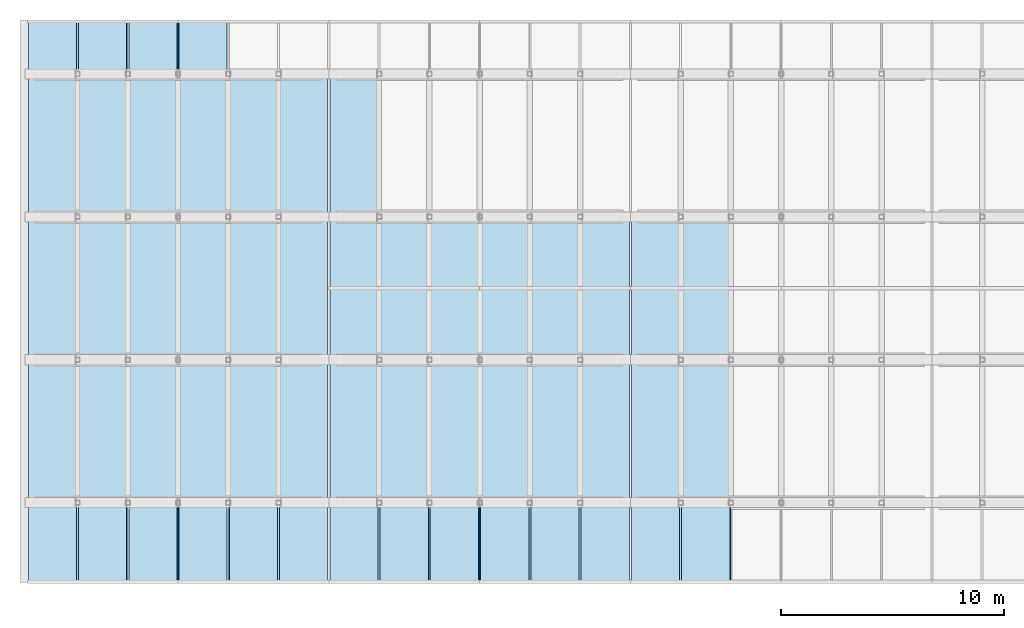
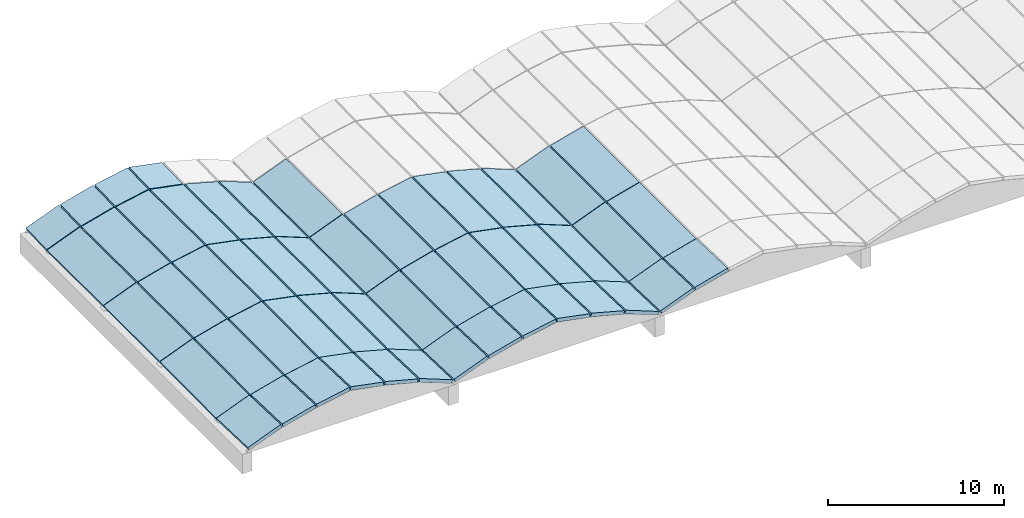
# One storey, part 11 of 15: 53 slabs, 3 elements without a shape of their own.
"""IFC4 building model written with IfcOpenShell, lengths in metres."""

from ifc_helpers import new_model, si_unit, direction, frame, origin, place, context, subcontext, project, spatial, polyline, outline, extrude, material, layer, layer_set, type_object, element, aggregate, save


model = new_model("IFC4")

# Units and contexts
model_context = context("Model", 3, precision=1e-05, world=origin(), true_north=direction((0.0, 1.0)))
body_context = subcontext(model_context, "Body", "Model", "MODEL_VIEW")
ifc_project = project(units=[si_unit("LENGTHUNIT", "METRE"), si_unit("AREAUNIT", "SQUARE_METRE"), si_unit("VOLUMEUNIT", "CUBIC_METRE"), si_unit("PLANEANGLEUNIT", "RADIAN"), si_unit("MASSUNIT", "GRAM", prefix="KILO")], contexts=[model_context])

# Site, building, storey
site_placement = place(None, origin())
site = spatial("IfcSite", under=ifc_project, at=site_placement, CompositionType="ELEMENT")
building_placement = place(site_placement, origin())
building = spatial("IfcBuilding", under=site, at=building_placement, Name="Fikremerkos Civic Library", CompositionType="ELEMENT")
storey_placement = place(building_placement, frame((0.0, 0.0, 27.89990234375)))
storey = spatial("IfcBuildingStorey", under=building, at=storey_placement, Name="RF", CompositionType="ELEMENT", Elevation=27.89990234375)

# Roof, slabs
ifc_material = material(Name="Concrete C40/50", Category="concrete")
ifc_layer_1 = layer(ifc_material, 0.219970703125, Name="Concrete C40/50")
ifc_layer_set_1 = layer_set([ifc_layer_1], Name="Concrete C40/50")
roof_type = type_object("IfcRoofType", Name="Reading hall barrel vault assembly RF-BV", PredefinedType="BARREL_ROOF", material=ifc_layer_set_1)
roof_1_placement = place(storey_placement, origin())
roof_1 = element("IfcRoof", 1, at=roof_1_placement, inside=storey, type_object=roof_type, Name="Reading hall concrete barrel vault V1", PredefinedType="BARREL_ROOF")
ifc_layer_2 = layer(ifc_material, 0.219970703125, Name="Concrete C40/50")
ifc_layer_set_2 = layer_set([ifc_layer_2], Name="Concrete C40/50")
slab_type_1 = type_object("IfcSlabType", Name="Vault shell roof strip VSR-01 220", PredefinedType="ROOF", material=ifc_layer_set_2)
slab_1_placement = place(storey_placement, frame((19.248046875, 12.014892578125, 0.190185546875), z_axis=(-0.365584139107, -0.005832410844, 0.930760022894), x_axis=(0.930775854748, -2.86347e-07, 0.365590355752)))
slab_1 = element("IfcSlab", 2, at=slab_1_placement, type_object=slab_type_1, Name="Barrel vault shell strip VSR-01 V1 R2 F1", PredefinedType="ROOF", context=body_context, shape_type="SweptSolid", body=[
    extrude(outline(polyline([(0.0, 0.0), (2.314210436796477, -8.673617379884035e-19), (2.328846507834182, 6.370226203324673), (0.014546815579757719, 6.370224877940915), (0.0, 0.0)])), origin(), (0.0, 0.0, -1.0), 0.219970703125),
])
slab_2_placement = place(storey_placement, frame((21.498046875, 12.014892578125, 1.0361328125), z_axis=(-0.259108847261, -0.006070671626, 0.965829049168), x_axis=(0.965846846535, 0.0, 0.259113621869)))
slab_2 = element("IfcSlab", 3, at=slab_2_placement, type_object=slab_type_1, Name="Barrel vault shell strip VSR-01 V1 R2 F2", PredefinedType="ROOF", context=body_context, shape_type="SweptSolid", body=[
    extrude(outline(polyline([(0.0, 0.0), (2.2302218432479766, -4.336808689942018e-19), (2.2405965097485847, 6.3702345698807505), (0.010374666500608148, 6.3702345698807505), (0.0, 0.0)])), origin(), (0.0, 0.0, -1.0), 0.219970703125),
])
slab_3_placement = place(storey_placement, frame((23.748046875, 12.014892578125, 1.614013671875), z_axis=(-0.191446599806, -0.006169067818, 0.981483643279), x_axis=(0.981502320169, 0.0, 0.191450242889)))
slab_3 = element("IfcSlab", 4, at=slab_3_placement, type_object=slab_type_1, Name="Barrel vault shell strip VSR-01 V1 R2 F3", PredefinedType="ROOF", context=body_context, shape_type="SweptSolid", body=[
    extrude(outline(polyline([(0.0, 0.0), (2.1946486423012233, 4.336808689942018e-19), (2.202314130541904, 6.37023840600168), (0.0076654882406804545, 6.37023840600168), (0.0, 0.0)])), origin(), (0.0, 0.0, -1.0), 0.219970703125),
])
slab_4_placement = place(storey_placement, frame((25.998046875, 12.014892578125, 2.0341796875), z_axis=(0.191446599806, -0.006169067818, 0.981483643279), x_axis=(0.981502320169, 0.0, -0.191450242889)))
slab_4 = element("IfcSlab", 5, at=slab_4_placement, type_object=slab_type_1, Name="Barrel vault shell strip VSR-01 V1 R2 F4", PredefinedType="ROOF", context=body_context, shape_type="SweptSolid", body=[
    extrude(outline(polyline([(0.0, 0.0), (2.1946486423012233, -4.336808689942018e-19), (2.1869831540605427, 6.37023840600168), (-0.0076654882406804545, 6.37023840600168), (0.0, 0.0)])), origin(), (0.0, 0.0, -1.0), 0.219970703125),
])
slab_5_placement = place(storey_placement, frame((28.248046875, 12.014892578125, 1.614013671875), z_axis=(0.259108847261, -0.006070671626, 0.965829049168), x_axis=(0.965846846535, 0.0, -0.259113621869)))
slab_5 = element("IfcSlab", 6, at=slab_5_placement, type_object=slab_type_1, Name="Barrel vault shell strip VSR-01 V1 R2 F5", PredefinedType="ROOF", context=body_context, shape_type="SweptSolid", body=[
    extrude(outline(polyline([(0.0, 0.0), (2.2302218432479766, 4.336808689942018e-19), (2.2198471767473684, 6.3702345698807505), (-0.010374666500608148, 6.3702345698807505), (0.0, 0.0)])), origin(), (0.0, 0.0, -1.0), 0.219970703125),
])
slab_6_placement = place(storey_placement, frame((30.498046875, 12.014892578125, 1.0361328125), z_axis=(0.365584139107, -0.005832410844, 0.930760022894), x_axis=(0.930775854748, 2.86347e-07, -0.365590355752)))
slab_6 = element("IfcSlab", 7, at=slab_6_placement, type_object=slab_type_1, Name="Barrel vault shell strip VSR-01 V1 R2 F6", PredefinedType="ROOF", context=body_context, shape_type="SweptSolid", body=[
    extrude(outline(polyline([(0.0, 0.0), (2.314210436796477, 8.673617379884035e-19), (2.299663621216719, 6.370224877940915), (-0.014636071037704897, 6.370226203324673), (0.0, 0.0)])), origin(), (0.0, 0.0, -1.0), 0.219970703125),
])
slab_7_placement = place(storey_placement, frame((19.248046875, 18.4150390625, 0.22998046875), z_axis=(-0.365636053128, 0.0, 0.930757904427), x_axis=(0.930757904427, 0.0, 0.365636053128)))
slab_7 = element("IfcSlab", 8, at=slab_7_placement, type_object=slab_type_1, Name="Barrel vault shell strip VSR-01 V1 R3 F1", PredefinedType="ROOF", context=body_context, shape_type="SweptSolid", body=[
    extrude(outline(polyline([(0.0, 0.0), (2.314299695043787, 0.0), (2.314299695043787, 6.369873046875), (0.0, 6.369873046875), (0.0, 0.0)])), origin(), (0.0, 0.0, -1.0), 0.219970703125),
])
slab_8_placement = place(storey_placement, frame((21.498046875, 18.4150390625, 1.076171875), z_axis=(-0.259113621869, 0.0, 0.965846846535), x_axis=(0.965846846535, 0.0, 0.259113621869)))
slab_8 = element("IfcSlab", 9, at=slab_8_placement, type_object=slab_type_1, Name="Barrel vault shell strip VSR-01 V1 R3 F2", PredefinedType="ROOF", context=body_context, shape_type="SweptSolid", body=[
    extrude(outline(polyline([(0.0, 0.0), (2.2302218432479766, 0.0), (2.2302218432479766, 6.369873046875), (0.0, 6.369873046875), (0.0, 0.0)])), origin(), (0.0, 0.0, -1.0), 0.219970703125),
])
slab_9_placement = place(storey_placement, frame((23.748046875, 18.4150390625, 1.654052734375), z_axis=(-0.191450242889, 0.0, 0.981502320169), x_axis=(0.981502320169, 0.0, 0.191450242889)))
slab_9 = element("IfcSlab", 10, at=slab_9_placement, type_object=slab_type_1, Name="Barrel vault shell strip VSR-01 V1 R3 F3", PredefinedType="ROOF", context=body_context, shape_type="SweptSolid", body=[
    extrude(outline(polyline([(0.0, 0.0), (2.1946486423012233, 0.0), (2.1946486423012233, 6.369873046875), (0.0, 6.369873046875), (0.0, 0.0)])), origin(), (0.0, 0.0, -1.0), 0.219970703125),
])
slab_10_placement = place(storey_placement, frame((25.998046875, 18.4150390625, 2.07421875), z_axis=(0.191450242889, 0.0, 0.981502320169), x_axis=(0.981502320169, 0.0, -0.191450242889)))
slab_10 = element("IfcSlab", 11, at=slab_10_placement, type_object=slab_type_1, Name="Barrel vault shell strip VSR-01 V1 R3 F4", PredefinedType="ROOF", context=body_context, shape_type="SweptSolid", body=[
    extrude(outline(polyline([(0.0, 0.0), (2.1946486423012233, 0.0), (2.1946486423012233, 6.369873046875), (0.0, 6.369873046875), (0.0, 0.0)])), origin(), (0.0, 0.0, -1.0), 0.219970703125),
])
slab_11_placement = place(storey_placement, frame((28.248046875, 18.4150390625, 1.654052734375), z_axis=(0.259113621869, 0.0, 0.965846846535), x_axis=(0.965846846535, 0.0, -0.259113621869)))
slab_11 = element("IfcSlab", 12, at=slab_11_placement, type_object=slab_type_1, Name="Barrel vault shell strip VSR-01 V1 R3 F5", PredefinedType="ROOF", context=body_context, shape_type="SweptSolid", body=[
    extrude(outline(polyline([(0.0, 0.0), (2.2302218432479766, 0.0), (2.2302218432479766, 6.369873046875), (0.0, 6.369873046875), (0.0, 0.0)])), origin(), (0.0, 0.0, -1.0), 0.219970703125),
])
slab_12_placement = place(storey_placement, frame((30.498046875, 18.4150390625, 1.076171875), z_axis=(0.365636053128, 0.0, 0.930757904427), x_axis=(0.930757904427, 0.0, -0.365636053128)))
slab_12 = element("IfcSlab", 13, at=slab_12_placement, type_object=slab_type_1, Name="Barrel vault shell strip VSR-01 V1 R3 F6", PredefinedType="ROOF", context=body_context, shape_type="SweptSolid", body=[
    extrude(outline(polyline([(0.0, 0.0), (2.314299695043787, 0.0), (2.314299695043787, 6.369873046875), (0.0, 6.369873046875), (0.0, 0.0)])), origin(), (0.0, 0.0, -1.0), 0.219970703125),
])
slab_13_placement = place(storey_placement, frame((19.248046875, 24.81494140625, 0.22998046875), z_axis=(-0.365584139107, 0.005832410844, 0.930760022894), x_axis=(0.930775853527, -2.86336e-07, 0.365590358861)))
slab_13 = element("IfcSlab", 14, at=slab_13_placement, type_object=slab_type_1, Name="Barrel vault shell strip VSR-01 V1 R4 F1", PredefinedType="ROOF", context=body_context, shape_type="SweptSolid", body=[
    extrude(outline(polyline([(0.0, 0.0), (2.314299692254804, 8.673617379884035e-19), (2.299659973031703, 6.370226194941651), (-0.014550463764394549, 6.370224869609008), (0.0, 0.0)])), origin(), (0.0, 0.0, -1.0), 0.219970703125),
])
slab_14_placement = place(storey_placement, frame((21.498046875, 24.81494140625, 1.076171875), z_axis=(-0.259108847261, 0.006070671626, 0.965829049168), x_axis=(0.965846846535, 0.0, 0.259113621869)))
slab_14 = element("IfcSlab", 15, at=slab_14_placement, type_object=slab_type_1, Name="Barrel vault shell strip VSR-01 V1 R4 F2", PredefinedType="ROOF", context=body_context, shape_type="SweptSolid", body=[
    extrude(outline(polyline([(0.0, 0.0), (2.2302218432479766, 4.336808689942018e-19), (2.2198471767473684, 6.3702345698807505), (-0.010374666500608148, 6.3702345698807505), (0.0, 0.0)])), origin(), (0.0, 0.0, -1.0), 0.219970703125),
])
slab_15_placement = place(storey_placement, frame((23.748046875, 24.81494140625, 1.654052734375), z_axis=(-0.191446599806, 0.006169067818, 0.981483643279), x_axis=(0.981502320169, 0.0, 0.191450242889)))
slab_15 = element("IfcSlab", 16, at=slab_15_placement, type_object=slab_type_1, Name="Barrel vault shell strip VSR-01 V1 R4 F3", PredefinedType="ROOF", context=body_context, shape_type="SweptSolid", body=[
    extrude(outline(polyline([(0.0, 0.0), (2.1946486423012233, -4.336808689942018e-19), (2.1869831540605427, 6.37023840600168), (-0.0076654882406804545, 6.37023840600168), (0.0, 0.0)])), origin(), (0.0, 0.0, -1.0), 0.219970703125),
])
slab_16_placement = place(storey_placement, frame((25.998046875, 24.81494140625, 2.07421875), z_axis=(0.191446599806, 0.006169067818, 0.981483643279), x_axis=(0.981502320169, 0.0, -0.191450242889)))
slab_16 = element("IfcSlab", 17, at=slab_16_placement, type_object=slab_type_1, Name="Barrel vault shell strip VSR-01 V1 R4 F4", PredefinedType="ROOF", context=body_context, shape_type="SweptSolid", body=[
    extrude(outline(polyline([(0.0, 0.0), (2.1946486423012233, 4.336808689942018e-19), (2.202314130541904, 6.37023840600168), (0.0076654882406804545, 6.37023840600168), (0.0, 0.0)])), origin(), (0.0, 0.0, -1.0), 0.219970703125),
])
slab_17_placement = place(storey_placement, frame((28.248046875, 24.81494140625, 1.654052734375), z_axis=(0.259108847261, 0.006070671626, 0.965829049168), x_axis=(0.965846846535, 0.0, -0.259113621869)))
slab_17 = element("IfcSlab", 18, at=slab_17_placement, type_object=slab_type_1, Name="Barrel vault shell strip VSR-01 V1 R4 F5", PredefinedType="ROOF", context=body_context, shape_type="SweptSolid", body=[
    extrude(outline(polyline([(0.0, 0.0), (2.2302218432479766, -4.336808689942018e-19), (2.2405965097485847, 6.3702345698807505), (0.010374666500608148, 6.3702345698807505), (0.0, 0.0)])), origin(), (0.0, 0.0, -1.0), 0.219970703125),
])
slab_18_placement = place(storey_placement, frame((30.498046875, 24.81494140625, 1.076171875), z_axis=(0.365584139107, 0.005832410844, 0.930760022894), x_axis=(0.930775853527, 2.86336e-07, -0.365590358861)))
slab_18 = element("IfcSlab", 19, at=slab_18_placement, type_object=slab_type_1, Name="Barrel vault shell strip VSR-01 V1 R4 F6", PredefinedType="ROOF", context=body_context, shape_type="SweptSolid", body=[
    extrude(outline(polyline([(0.0, 0.0), (2.314299692254804, -8.673617379884035e-19), (2.328850156019198, 6.370224869609008), (0.01463971922310075, 6.37022619494165), (0.0, 0.0)])), origin(), (0.0, 0.0, -1.0), 0.219970703125),
])

roof_2_placement = place(storey_placement, origin())
roof_2 = element("IfcRoof", 20, at=roof_2_placement, inside=storey, type_object=roof_type, Name="Reading hall concrete barrel vault V2", PredefinedType="BARREL_ROOF")
slab_19_placement = place(storey_placement, frame((32.748046875, 12.014892578125, 0.190185546875), z_axis=(-0.365584139107, -0.005832410844, 0.930760022894), x_axis=(0.930775854748, -2.86347e-07, 0.365590355752)))
slab_19 = element("IfcSlab", 21, at=slab_19_placement, type_object=slab_type_1, Name="Barrel vault shell strip VSR-01 V2 R2 F1", PredefinedType="ROOF", context=body_context, shape_type="SweptSolid", body=[
    extrude(outline(polyline([(0.0, 0.0), (2.314210436796477, -8.673617379884035e-19), (2.328846507834182, 6.370226203324673), (0.014546815579757719, 6.370224877940915), (0.0, 0.0)])), origin(), (0.0, 0.0, -1.0), 0.219970703125),
])
slab_20_placement = place(storey_placement, frame((34.998046875, 12.014892578125, 1.0361328125), z_axis=(-0.259108847261, -0.006070671626, 0.965829049168), x_axis=(0.965846846535, 0.0, 0.259113621869)))
slab_20 = element("IfcSlab", 22, at=slab_20_placement, type_object=slab_type_1, Name="Barrel vault shell strip VSR-01 V2 R2 F2", PredefinedType="ROOF", context=body_context, shape_type="SweptSolid", body=[
    extrude(outline(polyline([(0.0, 0.0), (2.2302218432479766, -4.336808689942018e-19), (2.2405965097485847, 6.3702345698807505), (0.010374666500608148, 6.3702345698807505), (0.0, 0.0)])), origin(), (0.0, 0.0, -1.0), 0.219970703125),
])
slab_21_placement = place(storey_placement, frame((37.248046875, 12.014892578125, 1.614013671875), z_axis=(-0.191446599806, -0.006169067818, 0.981483643279), x_axis=(0.981502320169, 0.0, 0.191450242889)))
slab_21 = element("IfcSlab", 23, at=slab_21_placement, type_object=slab_type_1, Name="Barrel vault shell strip VSR-01 V2 R2 F3", PredefinedType="ROOF", context=body_context, shape_type="SweptSolid", body=[
    extrude(outline(polyline([(0.0, 0.0), (2.1946486423012233, 4.336808689942018e-19), (2.202314130541904, 6.37023840600168), (0.0076654882406804545, 6.37023840600168), (0.0, 0.0)])), origin(), (0.0, 0.0, -1.0), 0.219970703125),
])
slab_22_placement = place(storey_placement, frame((39.498046875, 12.014892578125, 2.0341796875), z_axis=(0.191446599806, -0.006169067818, 0.981483643279), x_axis=(0.981502320169, 0.0, -0.191450242889)))
slab_22 = element("IfcSlab", 24, at=slab_22_placement, type_object=slab_type_1, Name="Barrel vault shell strip VSR-01 V2 R2 F4", PredefinedType="ROOF", context=body_context, shape_type="SweptSolid", body=[
    extrude(outline(polyline([(0.0, 0.0), (2.1946486423012233, -4.336808689942018e-19), (2.1869831540605427, 6.37023840600168), (-0.0076654882406804545, 6.37023840600168), (0.0, 0.0)])), origin(), (0.0, 0.0, -1.0), 0.219970703125),
])
slab_23_placement = place(storey_placement, frame((41.748046875, 12.014892578125, 1.614013671875), z_axis=(0.259108847261, -0.006070671626, 0.965829049168), x_axis=(0.965846846535, 0.0, -0.259113621869)))
slab_23 = element("IfcSlab", 25, at=slab_23_placement, type_object=slab_type_1, Name="Barrel vault shell strip VSR-01 V2 R2 F5", PredefinedType="ROOF", context=body_context, shape_type="SweptSolid", body=[
    extrude(outline(polyline([(0.0, 0.0), (2.2302218432479766, 4.336808689942018e-19), (2.2198471767473684, 6.3702345698807505), (-0.010374666500608148, 6.3702345698807505), (0.0, 0.0)])), origin(), (0.0, 0.0, -1.0), 0.219970703125),
])
slab_24_placement = place(storey_placement, frame((43.998046875, 12.014892578125, 1.0361328125), z_axis=(0.365584139107, -0.005832410844, 0.930760022894), x_axis=(0.930775854748, 2.86347e-07, -0.365590355752)))
slab_24 = element("IfcSlab", 26, at=slab_24_placement, type_object=slab_type_1, Name="Barrel vault shell strip VSR-01 V2 R2 F6", PredefinedType="ROOF", context=body_context, shape_type="SweptSolid", body=[
    extrude(outline(polyline([(0.0, 0.0), (2.314210436796477, 8.673617379884035e-19), (2.299663621216719, 6.370224877940915), (-0.014636071037704897, 6.370226203324673), (0.0, 0.0)])), origin(), (0.0, 0.0, -1.0), 0.219970703125),
])
slab_25_placement = place(storey_placement, frame((32.748046875, 18.4150390625, 0.22998046875), z_axis=(-0.365636053128, 0.0, 0.930757904427), x_axis=(0.930757904427, 0.0, 0.365636053128)))
slab_25 = element("IfcSlab", 27, at=slab_25_placement, type_object=slab_type_1, Name="Barrel vault shell strip VSR-01 V2 R3 F1", PredefinedType="ROOF", context=body_context, shape_type="SweptSolid", body=[
    extrude(outline(polyline([(0.0, 0.0), (2.314299695043787, 0.0), (2.314299695043787, 6.369873046875), (0.0, 6.369873046875), (0.0, 0.0)])), origin(), (0.0, 0.0, -1.0), 0.219970703125),
])
slab_26_placement = place(storey_placement, frame((34.998046875, 18.4150390625, 1.076171875), z_axis=(-0.259113621869, 0.0, 0.965846846535), x_axis=(0.965846846535, 0.0, 0.259113621869)))
slab_26 = element("IfcSlab", 28, at=slab_26_placement, type_object=slab_type_1, Name="Barrel vault shell strip VSR-01 V2 R3 F2", PredefinedType="ROOF", context=body_context, shape_type="SweptSolid", body=[
    extrude(outline(polyline([(0.0, 0.0), (2.2302218432479766, 0.0), (2.2302218432479766, 6.369873046875), (0.0, 6.369873046875), (0.0, 0.0)])), origin(), (0.0, 0.0, -1.0), 0.219970703125),
])
slab_27_placement = place(storey_placement, frame((37.248046875, 18.4150390625, 1.654052734375), z_axis=(-0.191450242889, 0.0, 0.981502320169), x_axis=(0.981502320169, 0.0, 0.191450242889)))
slab_27 = element("IfcSlab", 29, at=slab_27_placement, type_object=slab_type_1, Name="Barrel vault shell strip VSR-01 V2 R3 F3", PredefinedType="ROOF", context=body_context, shape_type="SweptSolid", body=[
    extrude(outline(polyline([(0.0, 0.0), (2.1946486423012233, 0.0), (2.1946486423012233, 6.369873046875), (0.0, 6.369873046875), (0.0, 0.0)])), origin(), (0.0, 0.0, -1.0), 0.219970703125),
])
slab_28_placement = place(storey_placement, frame((39.498046875, 18.4150390625, 2.07421875), z_axis=(0.191450242889, 0.0, 0.981502320169), x_axis=(0.981502320169, 0.0, -0.191450242889)))
slab_28 = element("IfcSlab", 30, at=slab_28_placement, type_object=slab_type_1, Name="Barrel vault shell strip VSR-01 V2 R3 F4", PredefinedType="ROOF", context=body_context, shape_type="SweptSolid", body=[
    extrude(outline(polyline([(0.0, 0.0), (2.1946486423012233, 0.0), (2.1946486423012233, 6.369873046875), (0.0, 6.369873046875), (0.0, 0.0)])), origin(), (0.0, 0.0, -1.0), 0.219970703125),
])
slab_29_placement = place(storey_placement, frame((41.748046875, 18.4150390625, 1.654052734375), z_axis=(0.259113621869, 0.0, 0.965846846535), x_axis=(0.965846846535, 0.0, -0.259113621869)))
slab_29 = element("IfcSlab", 31, at=slab_29_placement, type_object=slab_type_1, Name="Barrel vault shell strip VSR-01 V2 R3 F5", PredefinedType="ROOF", context=body_context, shape_type="SweptSolid", body=[
    extrude(outline(polyline([(0.0, 0.0), (2.2302218432479766, 0.0), (2.2302218432479766, 6.369873046875), (0.0, 6.369873046875), (0.0, 0.0)])), origin(), (0.0, 0.0, -1.0), 0.219970703125),
])
slab_30_placement = place(storey_placement, frame((43.998046875, 18.4150390625, 1.076171875), z_axis=(0.365636053128, 0.0, 0.930757904427), x_axis=(0.930757904427, 0.0, -0.365636053128)))
slab_30 = element("IfcSlab", 32, at=slab_30_placement, type_object=slab_type_1, Name="Barrel vault shell strip VSR-01 V2 R3 F6", PredefinedType="ROOF", context=body_context, shape_type="SweptSolid", body=[
    extrude(outline(polyline([(0.0, 0.0), (2.314299695043787, 0.0), (2.314299695043787, 6.369873046875), (0.0, 6.369873046875), (0.0, 0.0)])), origin(), (0.0, 0.0, -1.0), 0.219970703125),
])
slab_31_placement = place(storey_placement, frame((32.748046875, 24.81494140625, 0.22998046875), z_axis=(-0.365584139107, 0.005832410844, 0.930760022894), x_axis=(0.930775853527, -2.86336e-07, 0.365590358861)))
slab_31 = element("IfcSlab", 33, at=slab_31_placement, type_object=slab_type_1, Name="Barrel vault shell strip VSR-01 V2 R4 F1", PredefinedType="ROOF", context=body_context, shape_type="SweptSolid", body=[
    extrude(outline(polyline([(0.0, 0.0), (2.314299692254804, 8.673617379884035e-19), (2.299659973031703, 6.370226194941651), (-0.014550463764394549, 6.370224869609008), (0.0, 0.0)])), origin(), (0.0, 0.0, -1.0), 0.219970703125),
])

roof_3_placement = place(storey_placement, origin())
roof_3 = element("IfcRoof", 34, at=roof_3_placement, inside=storey, type_object=roof_type, Name="Reading hall concrete barrel vault V3", PredefinedType="BARREL_ROOF")
slab_32_placement = place(storey_placement, frame((46.248046875, 12.014892578125, 0.190185546875), z_axis=(-0.365584139107, -0.005832410844, 0.930760022894), x_axis=(0.930775854748, -2.86347e-07, 0.365590355752)))
slab_32 = element("IfcSlab", 35, at=slab_32_placement, type_object=slab_type_1, Name="Barrel vault shell strip VSR-01 V3 R2 F1", PredefinedType="ROOF", context=body_context, shape_type="SweptSolid", body=[
    extrude(outline(polyline([(0.0, 0.0), (2.314210436796477, -8.673617379884035e-19), (2.328846507834182, 6.370226203324673), (0.014546815579757719, 6.370224877940915), (0.0, 0.0)])), origin(), (0.0, 0.0, -1.0), 0.219970703125),
])
slab_33_placement = place(storey_placement, frame((48.498046875, 12.014892578125, 1.0361328125), z_axis=(-0.259108847261, -0.006070671626, 0.965829049168), x_axis=(0.965846846535, 0.0, 0.259113621869)))
slab_33 = element("IfcSlab", 36, at=slab_33_placement, type_object=slab_type_1, Name="Barrel vault shell strip VSR-01 V3 R2 F2", PredefinedType="ROOF", context=body_context, shape_type="SweptSolid", body=[
    extrude(outline(polyline([(0.0, 0.0), (2.2302218432479766, -4.336808689942018e-19), (2.2405965097485847, 6.3702345698807505), (0.010374666500608148, 6.3702345698807505), (0.0, 0.0)])), origin(), (0.0, 0.0, -1.0), 0.219970703125),
])
slab_34_placement = place(storey_placement, frame((46.248046875, 18.4150390625, 0.22998046875), z_axis=(-0.365636053128, 0.0, 0.930757904427), x_axis=(0.930757904427, 0.0, 0.365636053128)))
slab_34 = element("IfcSlab", 37, at=slab_34_placement, type_object=slab_type_1, Name="Barrel vault shell strip VSR-01 V3 R3 F1", PredefinedType="ROOF", context=body_context, shape_type="SweptSolid", body=[
    extrude(outline(polyline([(0.0, 0.0), (2.314299695043787, 0.0), (2.314299695043787, 6.369873046875), (0.0, 6.369873046875), (0.0, 0.0)])), origin(), (0.0, 0.0, -1.0), 0.219970703125),
])
slab_35_placement = place(storey_placement, frame((48.498046875, 18.4150390625, 1.076171875), z_axis=(-0.259113621869, 0.0, 0.965846846535), x_axis=(0.965846846535, 0.0, 0.259113621869)))
slab_35 = element("IfcSlab", 38, at=slab_35_placement, type_object=slab_type_1, Name="Barrel vault shell strip VSR-01 V3 R3 F2", PredefinedType="ROOF", context=body_context, shape_type="SweptSolid", body=[
    extrude(outline(polyline([(0.0, 0.0), (2.2302218432479766, 0.0), (2.2302218432479766, 6.369873046875), (0.0, 6.369873046875), (0.0, 0.0)])), origin(), (0.0, 0.0, -1.0), 0.219970703125),
])

# Slab
ifc_layer_3 = layer(ifc_material, 0.239990234375, Name="Concrete C40/50")
ifc_layer_set_3 = layer_set([ifc_layer_3], Name="Concrete C40/50")
slab_type_2 = type_object("IfcSlabType", Name="Vault shell roof strip VSR-02 240", PredefinedType="ROOF", material=ifc_layer_set_3)
slab_36_placement = place(storey_placement, frame((19.248046875, 8.4150390625, 0.3349609375), z_axis=(-0.365351443407, 0.032509350127, 0.930301813905), x_axis=(0.930793802296, 0.0, 0.365544658841)))
slab_36 = element("IfcSlab", 39, at=slab_36_placement, type_object=slab_type_2, Name="Barrel vault shell strip VSR-02 V1 R1 F1", PredefinedType="ROOF", context=body_context, shape_type="SweptSolid", body=[
    extrude(outline(polyline([(0.0, 0.0), (2.314210439585568, -3.469446951953614e-18), (2.2686066015318955, 3.5719563834142316), (-0.04560383805367241, 3.5719563834142316), (0.0, 0.0)])), origin(), (0.0, 0.0, -1.0), 0.239990234375),
])

slab_37_placement = place(storey_placement, frame((21.498046875, 8.4150390625, 1.180908203125), z_axis=(-0.258966161686, 0.033732261724, 0.965297188238), x_axis=(0.965846846535, 0.0, 0.259113621869)))
slab_37 = element("IfcSlab", 40, at=slab_37_placement, type_object=slab_type_2, Name="Barrel vault shell strip VSR-02 V1 R1 F2", PredefinedType="ROOF", context=body_context, shape_type="SweptSolid", body=[
    extrude(outline(polyline([(0.0, 0.0), (2.2302218432479766, 0.0), (2.19789590067596, 3.572101223159239), (-0.032325942572016854, 3.572101223159239), (0.0, 0.0)])), origin(), (0.0, 0.0, -1.0), 0.239990234375),
])

slab_38_placement = place(storey_placement, frame((23.748046875, 8.4150390625, 1.7587890625), z_axis=(-0.191337732025, 0.034278392784, 0.980925514038), x_axis=(0.981502320169, 0.0, 0.191450242889)))
slab_38 = element("IfcSlab", 41, at=slab_38_placement, type_object=slab_type_2, Name="Barrel vault shell strip VSR-02 V1 R1 F3", PredefinedType="ROOF", context=body_context, shape_type="SweptSolid", body=[
    extrude(outline(polyline([(0.0, 0.0), (2.1946486423012233, 0.0), (2.1707641027220297, 3.5721676393792037), (-0.023884539579193367, 3.5721676393792037), (0.0, 0.0)])), origin(), (0.0, 0.0, -1.0), 0.239990234375),
])

slab_39_placement = place(storey_placement, frame((25.998046875, 8.4150390625, 2.178955078125), z_axis=(0.191337732025, 0.034278392784, 0.980925514038), x_axis=(0.981502320169, 0.0, -0.191450242889)))
slab_39 = element("IfcSlab", 42, at=slab_39_placement, type_object=slab_type_2, Name="Barrel vault shell strip VSR-02 V1 R1 F4", PredefinedType="ROOF", context=body_context, shape_type="SweptSolid", body=[
    extrude(outline(polyline([(0.0, 0.0), (2.1946486423012233, 0.0), (2.2185331818804164, 3.5721676393792032), (0.023884539579193367, 3.5721676393792037), (0.0, 0.0)])), origin(), (0.0, 0.0, -1.0), 0.239990234375),
])

slab_40_placement = place(storey_placement, frame((28.248046875, 8.4150390625, 1.7587890625), z_axis=(0.258966161686, 0.033732261724, 0.965297188238), x_axis=(0.965846846535, 0.0, -0.259113621869)))
slab_40 = element("IfcSlab", 43, at=slab_40_placement, type_object=slab_type_2, Name="Barrel vault shell strip VSR-02 V1 R1 F5", PredefinedType="ROOF", context=body_context, shape_type="SweptSolid", body=[
    extrude(outline(polyline([(0.0, 0.0), (2.2302218432479766, 0.0), (2.2625477858199936, 3.572101223159239), (0.032325942572016854, 3.572101223159239), (0.0, 0.0)])), origin(), (0.0, 0.0, -1.0), 0.239990234375),
])

slab_41_placement = place(storey_placement, frame((30.498046875, 8.4150390625, 1.180908203125), z_axis=(0.365351443407, 0.032509350127, 0.930301813905), x_axis=(0.930793802296, 0.0, -0.365544658841)))
slab_41 = element("IfcSlab", 44, at=slab_41_placement, type_object=slab_type_2, Name="Barrel vault shell strip VSR-02 V1 R1 F6", PredefinedType="ROOF", context=body_context, shape_type="SweptSolid", body=[
    extrude(outline(polyline([(0.0, 0.0), (2.314210439585568, 3.469446951953614e-18), (2.3598142776392406, 3.571956383414232), (0.04560383805367241, 3.5719563834142316), (0.0, 0.0)])), origin(), (0.0, 0.0, -1.0), 0.239990234375),
])

slab_42_placement = place(storey_placement, frame((19.248046875, 31.215087890625, 0.210205078125), z_axis=(-0.365504165159, -0.021713302518, 0.930556412984), x_axis=(0.930775862599, -1.0658e-06, 0.365590335761)))
slab_42 = element("IfcSlab", 45, at=slab_42_placement, type_object=slab_type_2, Name="Barrel vault shell strip VSR-02 V1 R5 F1", PredefinedType="ROOF", context=body_context, shape_type="SweptSolid", body=[
    extrude(outline(polyline([(0.0, 0.0), (2.3142104367976972, -3.469446951953614e-18), (2.334468898832646, 2.370434392228092), (0.02016920658188198, 2.3704294579977616), (0.0, 0.0)])), origin(), (0.0, 0.0, -1.0), 0.239990234375),
])

slab_43_placement = place(storey_placement, frame((21.498046875, 31.215087890625, 1.05615234375), z_axis=(-0.259047553694, -0.02258074905, 0.965600577204), x_axis=(0.965846846535, 0.0, 0.259113621869)))
slab_43 = element("IfcSlab", 46, at=slab_43_placement, type_object=slab_type_2, Name="Barrel vault shell strip VSR-02 V1 R5 F2", PredefinedType="ROOF", context=body_context, shape_type="SweptSolid", body=[
    extrude(outline(polyline([(0.0, 0.0), (2.2302218432479766, 0.0), (2.2445818999286966, 2.370477465578898), (0.014360056680719815, 2.370477465578898), (0.0, 0.0)])), origin(), (0.0, 0.0, -1.0), 0.239990234375),
])

slab_44_placement = place(storey_placement, frame((23.748046875, 31.215087890625, 1.634033203125), z_axis=(-0.191399832658, -0.022946570677, 0.981243883524), x_axis=(0.981502320169, 0.0, 0.191450242889)))
slab_44 = element("IfcSlab", 47, at=slab_44_placement, type_object=slab_type_2, Name="Barrel vault shell strip VSR-02 V1 R5 F3", PredefinedType="ROOF", context=body_context, shape_type="SweptSolid", body=[
    extrude(outline(polyline([(0.0, 0.0), (2.1946486423012233, 0.0), (2.2052587998050917, 2.3704972159028093), (0.010610157503868678, 2.3704972159028093), (0.0, 0.0)])), origin(), (0.0, 0.0, -1.0), 0.239990234375),
])

slab_45_placement = place(storey_placement, frame((25.998046875, 31.215087890625, 2.05419921875), z_axis=(0.191399832658, -0.022946570677, 0.981243883524), x_axis=(0.981502320169, 0.0, -0.191450242889)))
slab_45 = element("IfcSlab", 48, at=slab_45_placement, type_object=slab_type_2, Name="Barrel vault shell strip VSR-02 V1 R5 F4", PredefinedType="ROOF", context=body_context, shape_type="SweptSolid", body=[
    extrude(outline(polyline([(0.0, 0.0), (2.1946486423012233, 0.0), (2.1840384847973544, 2.3704972159028093), (-0.010610157503868678, 2.3704972159028093), (0.0, 0.0)])), origin(), (0.0, 0.0, -1.0), 0.239990234375),
])

aggregate(roof_1, [slab_36, slab_37, slab_38, slab_39, slab_40, slab_41, slab_1, slab_2, slab_3, slab_4, slab_5, slab_6, slab_7, slab_8, slab_9, slab_10, slab_11, slab_12, slab_13, slab_14, slab_15, slab_16, slab_17, slab_18, slab_42, slab_43, slab_44, slab_45])

slab_46_placement = place(storey_placement, frame((32.748046875, 8.4150390625, 0.3349609375), z_axis=(-0.365351443407, 0.032509350127, 0.930301813905), x_axis=(0.930793802296, 0.0, 0.365544658841)))
slab_46 = element("IfcSlab", 49, at=slab_46_placement, type_object=slab_type_2, Name="Barrel vault shell strip VSR-02 V2 R1 F1", PredefinedType="ROOF", context=body_context, shape_type="SweptSolid", body=[
    extrude(outline(polyline([(0.0, 0.0), (2.314210439585568, -3.469446951953614e-18), (2.2686066015318955, 3.5719563834142316), (-0.04560383805367241, 3.5719563834142316), (0.0, 0.0)])), origin(), (0.0, 0.0, -1.0), 0.239990234375),
])

slab_47_placement = place(storey_placement, frame((34.998046875, 8.4150390625, 1.180908203125), z_axis=(-0.258966161686, 0.033732261724, 0.965297188238), x_axis=(0.965846846535, 0.0, 0.259113621869)))
slab_47 = element("IfcSlab", 50, at=slab_47_placement, type_object=slab_type_2, Name="Barrel vault shell strip VSR-02 V2 R1 F2", PredefinedType="ROOF", context=body_context, shape_type="SweptSolid", body=[
    extrude(outline(polyline([(0.0, 0.0), (2.2302218432479766, 0.0), (2.19789590067596, 3.572101223159239), (-0.032325942572016854, 3.572101223159239), (0.0, 0.0)])), origin(), (0.0, 0.0, -1.0), 0.239990234375),
])

slab_48_placement = place(storey_placement, frame((37.248046875, 8.4150390625, 1.7587890625), z_axis=(-0.191337732025, 0.034278392784, 0.980925514038), x_axis=(0.981502320169, 0.0, 0.191450242889)))
slab_48 = element("IfcSlab", 51, at=slab_48_placement, type_object=slab_type_2, Name="Barrel vault shell strip VSR-02 V2 R1 F3", PredefinedType="ROOF", context=body_context, shape_type="SweptSolid", body=[
    extrude(outline(polyline([(0.0, 0.0), (2.1946486423012233, 0.0), (2.1707641027220297, 3.5721676393792037), (-0.023884539579193367, 3.5721676393792037), (0.0, 0.0)])), origin(), (0.0, 0.0, -1.0), 0.239990234375),
])

slab_49_placement = place(storey_placement, frame((39.498046875, 8.4150390625, 2.178955078125), z_axis=(0.191337732025, 0.034278392784, 0.980925514038), x_axis=(0.981502320169, 0.0, -0.191450242889)))
slab_49 = element("IfcSlab", 52, at=slab_49_placement, type_object=slab_type_2, Name="Barrel vault shell strip VSR-02 V2 R1 F4", PredefinedType="ROOF", context=body_context, shape_type="SweptSolid", body=[
    extrude(outline(polyline([(0.0, 0.0), (2.1946486423012233, 0.0), (2.2185331818804164, 3.5721676393792032), (0.023884539579193367, 3.5721676393792037), (0.0, 0.0)])), origin(), (0.0, 0.0, -1.0), 0.239990234375),
])

slab_50_placement = place(storey_placement, frame((41.748046875, 8.4150390625, 1.7587890625), z_axis=(0.258966161686, 0.033732261724, 0.965297188238), x_axis=(0.965846846535, 0.0, -0.259113621869)))
slab_50 = element("IfcSlab", 53, at=slab_50_placement, type_object=slab_type_2, Name="Barrel vault shell strip VSR-02 V2 R1 F5", PredefinedType="ROOF", context=body_context, shape_type="SweptSolid", body=[
    extrude(outline(polyline([(0.0, 0.0), (2.2302218432479766, 0.0), (2.2625477858199936, 3.572101223159239), (0.032325942572016854, 3.572101223159239), (0.0, 0.0)])), origin(), (0.0, 0.0, -1.0), 0.239990234375),
])

slab_51_placement = place(storey_placement, frame((43.998046875, 8.4150390625, 1.180908203125), z_axis=(0.365351443407, 0.032509350127, 0.930301813905), x_axis=(0.930793802296, 0.0, -0.365544658841)))
slab_51 = element("IfcSlab", 54, at=slab_51_placement, type_object=slab_type_2, Name="Barrel vault shell strip VSR-02 V2 R1 F6", PredefinedType="ROOF", context=body_context, shape_type="SweptSolid", body=[
    extrude(outline(polyline([(0.0, 0.0), (2.314210439585568, 3.469446951953614e-18), (2.3598142776392406, 3.571956383414232), (0.04560383805367241, 3.5719563834142316), (0.0, 0.0)])), origin(), (0.0, 0.0, -1.0), 0.239990234375),
])

aggregate(roof_2, [slab_46, slab_47, slab_48, slab_49, slab_50, slab_51, slab_19, slab_20, slab_21, slab_22, slab_23, slab_24, slab_25, slab_26, slab_27, slab_28, slab_29, slab_30, slab_31])

slab_52_placement = place(storey_placement, frame((46.248046875, 8.4150390625, 0.3349609375), z_axis=(-0.365351443407, 0.032509350127, 0.930301813905), x_axis=(0.930793802296, 0.0, 0.365544658841)))
slab_52 = element("IfcSlab", 55, at=slab_52_placement, type_object=slab_type_2, Name="Barrel vault shell strip VSR-02 V3 R1 F1", PredefinedType="ROOF", context=body_context, shape_type="SweptSolid", body=[
    extrude(outline(polyline([(0.0, 0.0), (2.314210439585568, -3.469446951953614e-18), (2.2686066015318955, 3.5719563834142316), (-0.04560383805367241, 3.5719563834142316), (0.0, 0.0)])), origin(), (0.0, 0.0, -1.0), 0.239990234375),
])

slab_53_placement = place(storey_placement, frame((48.498046875, 8.4150390625, 1.180908203125), z_axis=(-0.258966161686, 0.033732261724, 0.965297188238), x_axis=(0.965846846535, 0.0, 0.259113621869)))
slab_53 = element("IfcSlab", 56, at=slab_53_placement, type_object=slab_type_2, Name="Barrel vault shell strip VSR-02 V3 R1 F2", PredefinedType="ROOF", context=body_context, shape_type="SweptSolid", body=[
    extrude(outline(polyline([(0.0, 0.0), (2.2302218432479766, 0.0), (2.19789590067596, 3.572101223159239), (-0.032325942572016854, 3.572101223159239), (0.0, 0.0)])), origin(), (0.0, 0.0, -1.0), 0.239990234375),
])

aggregate(roof_3, [slab_52, slab_53, slab_32, slab_33, slab_34, slab_35])

save(model, "model.ifc")
